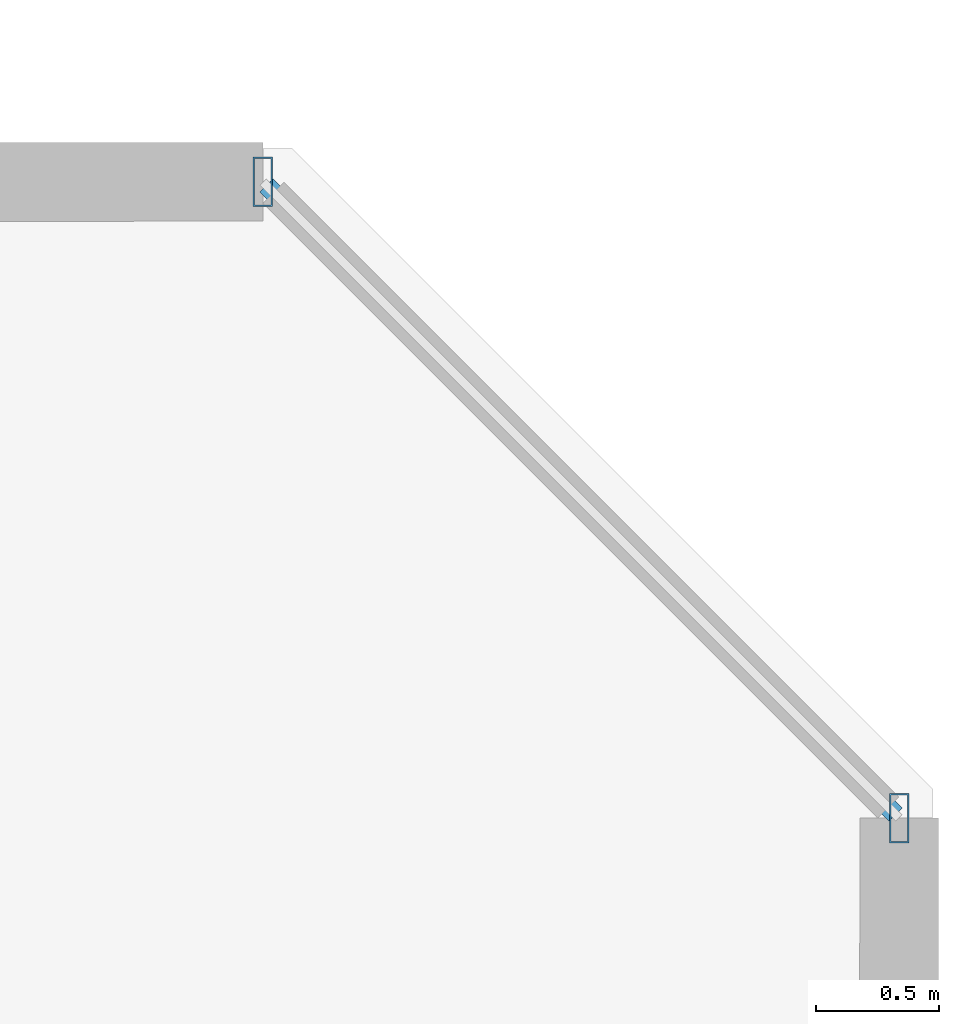
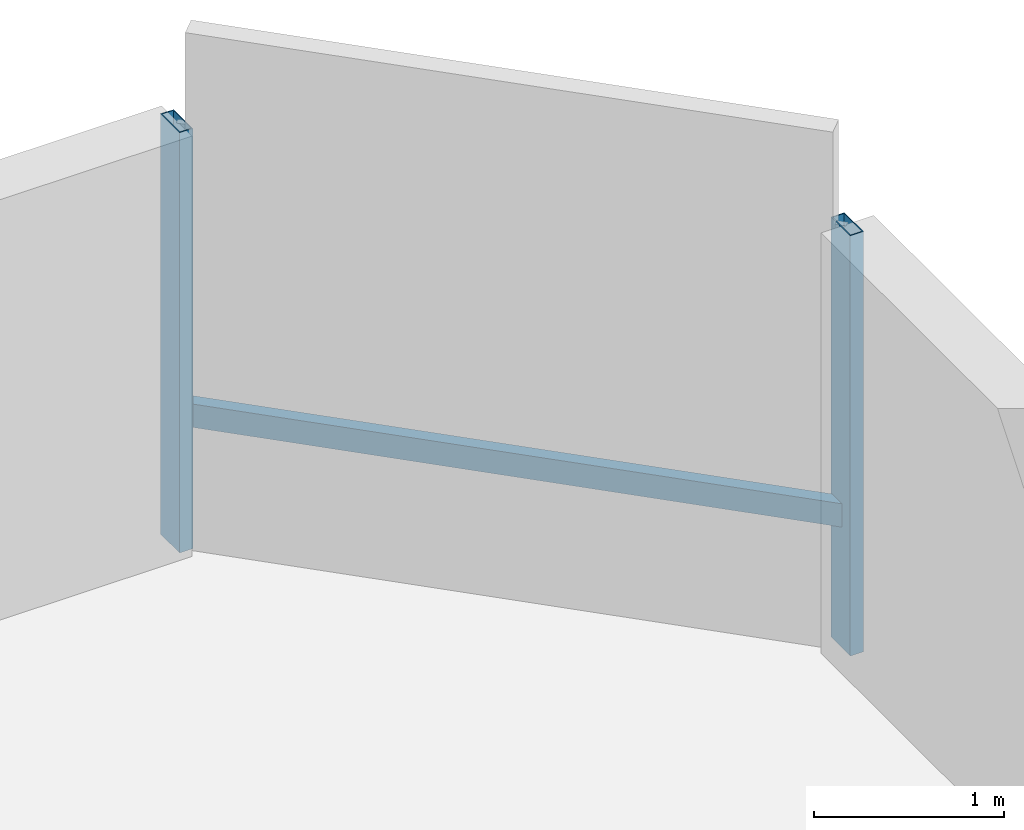
# One storey, part 16 of 31: 3 members, 1 element without a shape of its own.
"""IFC4 building model written with IfcOpenShell, lengths in metres."""

from ifc_helpers import new_model, si_unit, direction, frame, origin, origin_2d, place, context, subcontext, project, spatial, hollow_rectangle, extrude, material, material_profile, profile_set, type_object, element, aggregate, save


model = new_model("IFC4")

# Units and contexts
model_context = context("Model", 3, precision=1e-05, world=origin(), true_north=direction((0.0, 1.0)))
body_context = subcontext(model_context, "Body", "Model", "MODEL_VIEW")
ifc_project = project(units=[si_unit("LENGTHUNIT", "METRE"), si_unit("AREAUNIT", "SQUARE_METRE"), si_unit("VOLUMEUNIT", "CUBIC_METRE"), si_unit("PLANEANGLEUNIT", "RADIAN"), si_unit("MASSUNIT", "GRAM", prefix="KILO")], contexts=[model_context])

# Site, building, storey
site_placement = place(None, origin())
site = spatial("IfcSite", under=ifc_project, at=site_placement, CompositionType="ELEMENT")
building_placement = place(site_placement, origin())
building = spatial("IfcBuilding", under=site, at=building_placement, Name="Thornwick Lancets Civic Towers", CompositionType="ELEMENT")
storey_placement = place(building_placement, frame((0.0, 0.0, 119.699951171875)))
storey = spatial("IfcBuildingStorey", under=building, at=storey_placement, Name="L31", CompositionType="ELEMENT", Elevation=119.699951171875)

# Curtain wall, members
ifc_material_1 = material(Name="Mid-zone chamfered-corner unitised glass curtain wall", Category="glass")
curtain_wall_type = type_object("IfcCurtainWallType", Name="CW_SYS_04", PredefinedType="NOTDEFINED", material=ifc_material_1)
curtain_wall_placement = place(storey_placement, origin())
curtain_wall = element("IfcCurtainWall", 1, at=curtain_wall_placement, inside=storey, type_object=curtain_wall_type, Name="L31 Curtain Wall CW-L31-B-E3", PredefinedType="NOTDEFINED")
ifc_material_2 = material(Name="Thermally broken bronze aluminium S355", Category="steel")
ifc_material_profile_1 = material_profile(ifc_material_2, hollow_rectangle(XDim=0.080078125, YDim=0.199951171875, WallThickness=0.006103515625, at=origin_2d()), Name="RHS 200x80x6")
ifc_profile_set_1 = profile_set([ifc_material_profile_1], Name="Thermally broken bronze aluminium S355")
member_type_1 = type_object("IfcMemberType", Name="CW_MUL_200", PredefinedType="MULLION", material=ifc_profile_set_1)
member_1_placement = place(storey_placement, frame((112.2646484375, 42.181396484375, 0.0), z_axis=(0.0, 0.0, 1.0), x_axis=(1.0, 0.0, 0.0)))
member_1 = element("IfcMember", 2, at=member_1_placement, type_object=member_type_1, Name="CW-L31-B-E3 Mullion 0", PredefinedType="MULLION", context=body_context, shape_type="SweptSolid", body=[
    extrude(hollow_rectangle(XDim=0.080078125, YDim=0.199951171875, WallThickness=0.006103515625, at=origin_2d()), origin(), (0.0, 0.0, 1.0), 2.699951171875),
])
member_2_placement = place(storey_placement, frame((109.681396484375, 44.7646484375, 0.0), z_axis=(0.0, 0.0, 1.0), x_axis=(1.0, 0.0, 0.0)))
member_2 = element("IfcMember", 3, at=member_2_placement, type_object=member_type_1, Name="CW-L31-B-E3 Mullion 1", PredefinedType="MULLION", context=body_context, shape_type="SweptSolid", body=[
    extrude(hollow_rectangle(XDim=0.080078125, YDim=0.199951171875, WallThickness=0.006103515625, at=origin_2d()), origin(), (0.0, 0.0, 1.0), 2.699951171875),
])
ifc_material_profile_2 = material_profile(ifc_material_2, hollow_rectangle(XDim=0.074951171875, YDim=0.14990234375, WallThickness=0.0048828125, at=origin_2d()), Name="RHS 150x75x5")
ifc_profile_set_2 = profile_set([ifc_material_profile_2], Name="Thermally broken bronze aluminium S355")
member_type_2 = type_object("IfcMemberType", Name="CW_TRN_150", PredefinedType="USERDEFINED", material=ifc_profile_set_2)
member_3_placement = place(storey_placement, frame((112.25048828125, 42.195556640625, 0.85009765625), z_axis=(-0.707106781187, 0.707106781187, 0.0), x_axis=(-0.707106781187, -0.707106781187, 0.0)))
member_3 = element("IfcMember", 4, at=member_3_placement, type_object=member_type_2, Name="CW-L31-B-E3 Transom 0", ObjectType="TRANSOM", PredefinedType="USERDEFINED", context=body_context, shape_type="SweptSolid", body=[
    extrude(hollow_rectangle(XDim=0.074951171875, YDim=0.14990234375, WallThickness=0.0048828125, at=origin_2d()), origin(), (0.0, 0.0, 1.0), 3.61328125),
])
aggregate(curtain_wall, [member_1, member_2, member_3])

save(model, "model.ifc")
